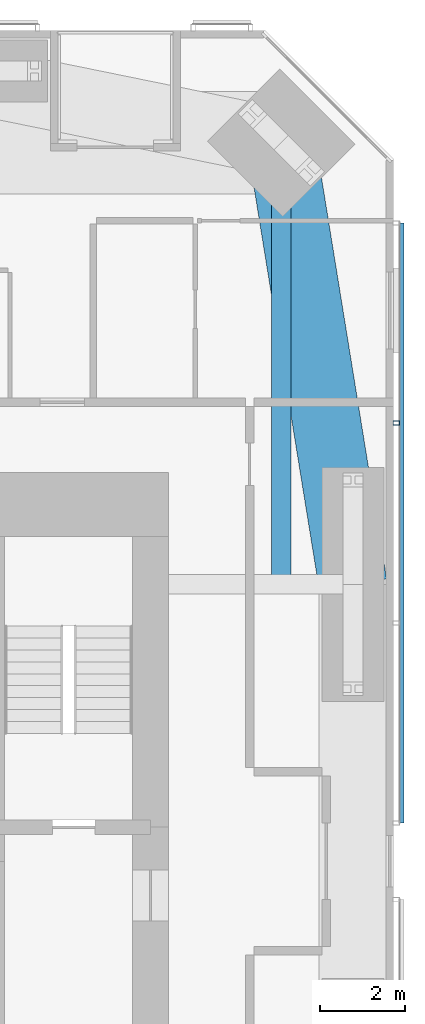
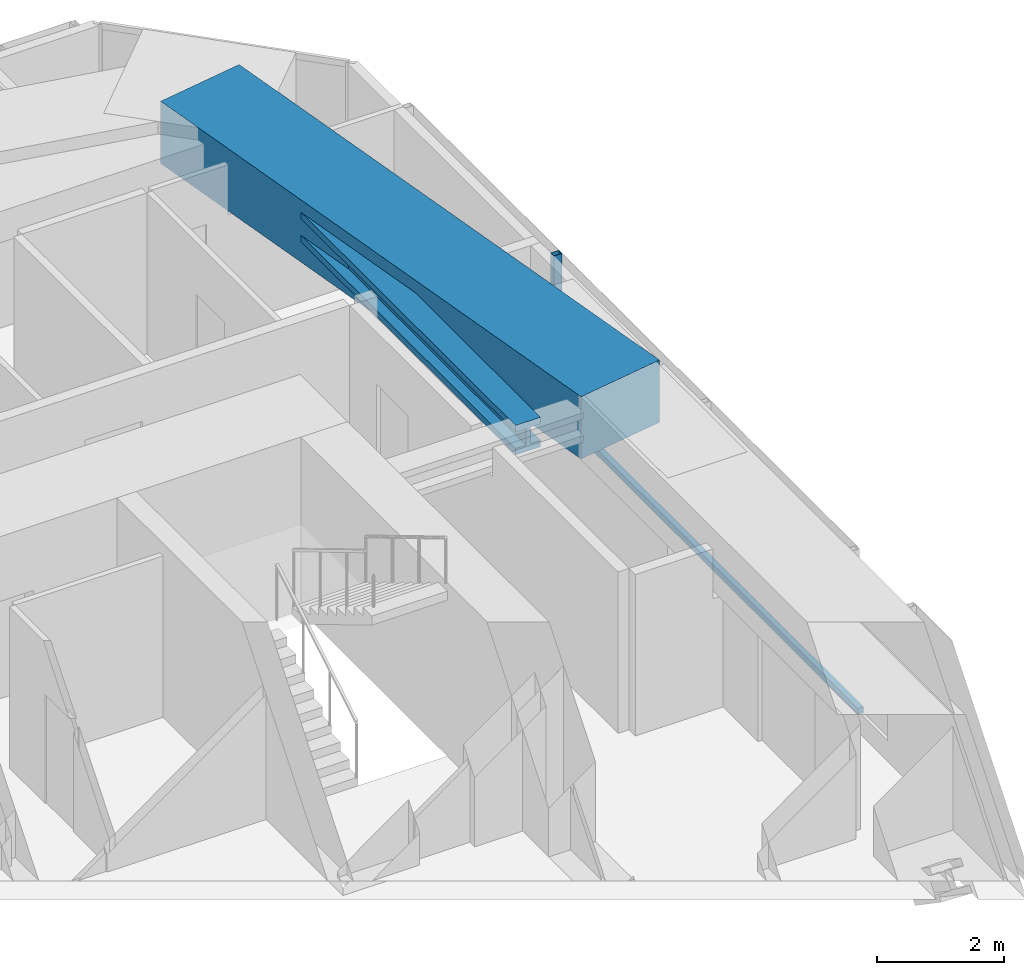
# One storey, part 10 of 23: 2 beams, 2 members, 1 element without a shape of its own.
"""IFC4 building model written with IfcOpenShell, lengths in metres."""

import ifcopenshell
import ifcopenshell.guid

model = None  # the IFC model being written
_history = None  # IfcOwnerHistory: only IFC2X3 demands one
_inside = {}  # id of a spatial element -> (the spatial element, [elements in it])
_under = {}  # id of a project, library or spatial element -> (it, [spatial elements below it])
_declared = {}  # id of a project -> (the project, [libraries it declares])
_typed = {}  # id of a type object -> (the type object, [elements of that type])
_made_of = {}  # id of a material, layer set ... -> (it, [elements and type objects made of it])


def new_model(schema):
    """Start an empty IFC model of exactly this schema.

    Asked for "IFC4X3", IfcOpenShell would pick the latest addendum, in which some entities
    have other attributes; the version numbers below select the first issue.
    IFC2X3 requires an IfcOwnerHistory on every rooted entity: one is made here for all.
    """
    global model, _history
    if schema == "IFC4X3":
        model = ifcopenshell.file(schema_version=(4, 3, 0, 0))
    else:
        model = ifcopenshell.file(schema=schema)
    _inside.clear()
    _under.clear()
    _declared.clear()
    _typed.clear()
    _made_of.clear()
    _history = None
    if model.schema == "IFC2X3":
        org = make("IfcOrganization", Name="unknown")
        user = make(
            "IfcPersonAndOrganization",
            ThePerson=make("IfcPerson", FamilyName="unknown"),
            TheOrganization=org,
        )
        app = make(
            "IfcApplication",
            ApplicationDeveloper=org,
            Version="unknown",
            ApplicationFullName="unknown",
            ApplicationIdentifier="unknown",
        )
        _history = make(
            "IfcOwnerHistory",
            OwningUser=user,
            OwningApplication=app,
            ChangeAction="ADDED",
            CreationDate=0,
        )
    return model


def make(cls, **values):
    """One entity of the class cls with the attributes given. An attribute that is None is left unset."""
    return model.create_entity(
        cls, **{name: value for name, value in values.items() if value is not None}
    )


def rooted(cls, **values):
    """An entity with a GlobalId (a new one), such as an element, a storey or a relation."""
    return make(cls, GlobalId=ifcopenshell.guid.new(), OwnerHistory=_history, **values)


def si_unit(unit_type, name, prefix=None):
    """IfcSIUnit, for example si_unit("LENGTHUNIT", "METRE", prefix="MILLI")."""
    return make("IfcSIUnit", UnitType=unit_type, Prefix=prefix, Name=name)


def assignment(units):
    """IfcUnitAssignment: the units of a project."""
    return None if units is None else make("IfcUnitAssignment", Units=units)


def point(xyz):
    """IfcCartesianPoint."""
    return None if xyz is None else make("IfcCartesianPoint", Coordinates=xyz)


def direction(xyz):
    """IfcDirection."""
    return None if xyz is None else make("IfcDirection", DirectionRatios=xyz)


def frame(location, z_axis=None, x_axis=None):
    """IfcAxis2Placement3D, a coordinate frame: its origin and axes. An axis left out is left unset."""
    return make(
        "IfcAxis2Placement3D",
        Location=point(location),
        Axis=direction(z_axis),
        RefDirection=direction(x_axis),
    )


def frame_2d(location, x_axis=None):
    """IfcAxis2Placement2D, a coordinate frame in the plane: its origin and x axis."""
    return make(
        "IfcAxis2Placement2D", Location=point(location), RefDirection=direction(x_axis)
    )


def origin():
    """The frame at (0, 0, 0) with its axes left unset."""
    return frame((0.0, 0.0, 0.0))


def origin_2d():
    """The frame at (0, 0) in the plane with its x axis left unset."""
    return frame_2d((0.0, 0.0))


def place(relative_to, where):
    """IfcLocalPlacement: puts the frame where relative to a parent placement (None: the world)."""
    return make(
        "IfcLocalPlacement", PlacementRelTo=relative_to, RelativePlacement=where
    )


def context(
    kind, dimensions, precision=None, world=None, true_north=None, identifier=None
):
    """IfcGeometricRepresentationContext, for example the 3D "Model" context."""
    return make(
        "IfcGeometricRepresentationContext",
        ContextIdentifier=identifier,
        ContextType=kind,
        CoordinateSpaceDimension=dimensions,
        Precision=precision,
        WorldCoordinateSystem=world,
        TrueNorth=true_north,
    )


def subcontext(parent, identifier, kind, view, scale=None):
    """IfcGeometricRepresentationSubContext, for example "Body" below "Model"."""
    return make(
        "IfcGeometricRepresentationSubContext",
        ContextIdentifier=identifier,
        ContextType=kind,
        ParentContext=parent,
        TargetScale=scale,
        TargetView=view,
    )


def project(units=None, contexts=None):
    """IfcProject with its units and contexts."""
    return rooted(
        "IfcProject",
        Name="project",
        RepresentationContexts=contexts,
        UnitsInContext=assignment(units),
    )


def spatial(cls, under=None, at=None, **own):
    """A site, building, storey or space (cls), placed at a placement, below another one or the project."""
    s = rooted(cls, ObjectPlacement=at, **own)
    if under is not None:
        _under.setdefault(under.id(), (under, []))[1].append(s)
    return s


def profile(cls, at=None, kind="AREA", **sizes):
    """A parametric profile (cls). Its sizes go by their IFC names, for example OverallWidth=200.0."""
    return make(cls, ProfileType=kind, Position=at, **sizes)


def rectangle(**sizes):
    """IfcRectangleProfileDef."""
    return profile("IfcRectangleProfileDef", **sizes)


def hollow_rectangle(**sizes):
    """IfcRectangleHollowProfileDef."""
    return profile("IfcRectangleHollowProfileDef", **sizes)


def i_section(**sizes):
    """IfcIShapeProfileDef."""
    return profile("IfcIShapeProfileDef", **sizes)


def extrude(swept, where, along, depth):
    """IfcExtrudedAreaSolid: the profile swept, set in the frame where, extruded along a direction by depth."""
    return make(
        "IfcExtrudedAreaSolid",
        SweptArea=swept,
        Position=where,
        ExtrudedDirection=direction(along),
        Depth=depth,
    )


def shape(context_of_items, identifier, shape_type, items):
    """IfcShapeRepresentation: the items that make up one representation, for example the "Body"."""
    return make(
        "IfcShapeRepresentation",
        ContextOfItems=context_of_items,
        RepresentationIdentifier=identifier,
        RepresentationType=shape_type,
        Items=items,
    )


def material(Name=None, Category=None):
    """IfcMaterial."""
    return make("IfcMaterial", Name=Name, Category=Category)


def material_profile(
    of_material, cross_section, Name=None, Category=None, Priority=None
):
    """IfcMaterialProfile: a cross section and its material."""
    return make(
        "IfcMaterialProfile",
        Name=Name,
        Material=of_material,
        Profile=cross_section,
        Priority=Priority,
        Category=Category,
    )


def profile_set(profiles, Name=None, composite=None):
    """IfcMaterialProfileSet."""
    return make(
        "IfcMaterialProfileSet",
        Name=Name,
        MaterialProfiles=profiles,
        CompositeProfile=composite,
    )


def made_of(thing, what):
    """Note that an element or type object is made of a material, layer set ...; save() writes the relation."""
    if what is not None:
        _made_of.setdefault(what.id(), (what, []))[1].append(thing)
    return thing


def type_object(cls, material=None, **own):
    """A type object (cls), such as IfcWallType, which elements share."""
    return made_of(rooted(cls, **own), material)


def element(
    cls,
    number,
    at=None,
    inside=None,
    cuts=None,
    type_object=None,
    material=None,
    context=None,
    identifier="Body",
    shape_type=None,
    held_by="IfcProductDefinitionShape",
    body=None,
    shapes=None,
    **own,
):
    """One element of the class cls, such as IfcWall. Its Tag is "e" and its number.

    at: its placement. inside: the storey or other place that contains it. cuts: it is an
    opening in that element (IfcRelVoidsElement). A single representation is given by context,
    identifier, shape_type and body (its items); several are given by shapes. held_by: the class
    of the entity that holds the representations. save() writes the other relations.
    """
    e = rooted(cls, Tag="e%d" % number, ObjectPlacement=at, **own)
    if body is not None:
        shapes = [shape(context, identifier, shape_type, body)]
    if shapes is not None:
        e.Representation = make(held_by, Representations=shapes)
    if inside is not None:
        _inside.setdefault(inside.id(), (inside, []))[1].append(e)
    if cuts is not None:
        rooted(
            "IfcRelVoidsElement", RelatingBuildingElement=cuts, RelatedOpeningElement=e
        )
    if type_object is not None:
        _typed.setdefault(type_object.id(), (type_object, []))[1].append(e)
    return made_of(e, material)


def aggregate(whole, parts):
    """IfcRelAggregates: a whole, such as a stair, and the parts it consists of."""
    return rooted("IfcRelAggregates", RelatingObject=whole, RelatedObjects=parts)


def save(model, path):
    """Write the relations noted so far, then the file.

    IfcRelAggregates (storeys below a building ...), IfcRelContainedInSpatialStructure (elements
    in a storey), IfcRelDefinesByType, IfcRelAssociatesMaterial and IfcRelDeclares: one each for
    every whole, place, type object, material and project.
    """
    for whole, parts in _under.values():
        aggregate(whole, parts)
    for where, things in _inside.values():
        rooted(
            "IfcRelContainedInSpatialStructure",
            RelatedElements=things,
            RelatingStructure=where,
        )
    for kind, things in _typed.values():
        rooted("IfcRelDefinesByType", RelatedObjects=things, RelatingType=kind)
    for what, things in _made_of.values():
        rooted("IfcRelAssociatesMaterial", RelatedObjects=things, RelatingMaterial=what)
    for by, libraries in _declared.values():
        rooted("IfcRelDeclares", RelatingContext=by, RelatedDefinitions=libraries)
    model.write(path)


model = new_model("IFC4")

# Units and contexts
model_context = context("Model", 3, precision=1e-05, world=origin(), true_north=direction((0.0, 1.0)))
body_context = subcontext(model_context, "Body", "Model", "MODEL_VIEW")
ifc_project = project(units=[si_unit("LENGTHUNIT", "METRE"), si_unit("AREAUNIT", "SQUARE_METRE"), si_unit("VOLUMEUNIT", "CUBIC_METRE"), si_unit("PLANEANGLEUNIT", "RADIAN"), si_unit("MASSUNIT", "GRAM", prefix="KILO")], contexts=[model_context])

# Site, building, storey
site_placement = place(None, origin())
site = spatial("IfcSite", under=ifc_project, at=site_placement, CompositionType="ELEMENT")
building_placement = place(site_placement, origin())
building = spatial("IfcBuilding", under=site, at=building_placement, Name="Jalousie Tower", CompositionType="ELEMENT")
storey_placement = place(building_placement, frame((0.0, 0.0, 114.89990234375)))
storey = spatial("IfcBuildingStorey", under=building, at=storey_placement, Name="L31", CompositionType="ELEMENT", Elevation=114.89990234375)

# Beams
ifc_material_1 = material(Name="Steel ASTM A992 Grade 50", Category="steel")
ifc_material_profile_1 = material_profile(ifc_material_1, i_section(OverallWidth=0.45458984375, OverallDepth=0.569091796875, WebThickness=0.077880859375, FlangeThickness=0.124755859375, at=origin_2d()), Name="W14X730")
ifc_profile_set_1 = profile_set([ifc_material_profile_1], Name="Steel ASTM A992 Grade 50")
beam_type_1 = type_object("IfcBeamType", Name="LEAN COLLECTOR W14X730", PredefinedType="BEAM", material=ifc_profile_set_1)
beam_1_placement = place(storey_placement, frame((46.86865234375, 35.36865234375, 2.82568359375), z_axis=(0.0, -1.0, 0.0), x_axis=(1.0, 0.0, 0.0)))
element("IfcBeam", 1, at=beam_1_placement, inside=storey, type_object=beam_type_1, Name="Lean collector under L32", PredefinedType="BEAM", context=body_context, shape_type="SweptSolid", body=[
    extrude(i_section(OverallWidth=0.45458984375, OverallDepth=0.569091796875, WebThickness=0.077880859375, FlangeThickness=0.124755859375, at=origin_2d()), origin(), (0.0, 0.0, 1.0), 10.36865234375),
])
ifc_material_2 = material(Name="Concrete f'c 40 MPa", Category="concrete")
ifc_material_profile_2 = material_profile(ifc_material_2, rectangle(XDim=1.60009765625, YDim=1.199951171875, at=origin_2d()), Name="RC 1600x1200")
ifc_profile_set_2 = profile_set([ifc_material_profile_2], Name="Concrete f'c 40 MPa")
beam_type_2 = type_object("IfcBeamType", Name="RC BEAM 1600x1200", PredefinedType="BEAM", material=ifc_profile_set_2)
beam_2_placement = place(storey_placement, frame((48.550048828125, 25.0, 2.75), z_axis=(-0.160070546476, 0.987105577003, 0.0), x_axis=(-0.987105577003, -0.160070546476, 0.0)))
element("IfcBeam", 2, at=beam_2_placement, inside=storey, type_object=beam_type_2, Name="Edge band beam 07-08 under L32", PredefinedType="BEAM", context=body_context, shape_type="SweptSolid", body=[
    extrude(rectangle(XDim=1.60009765625, YDim=1.199951171875, at=origin_2d()), origin(), (0.0, 0.0, 1.0), 10.504150390625),
])

# Curtain wall, members
ifc_material_3 = material(Name="Perforated aluminium sheet", Category="aluminium")
curtain_wall_type = type_object("IfcCurtainWallType", Name="SOLAR SCREEN SS-1", PredefinedType="USERDEFINED", material=ifc_material_3)
curtain_wall_placement = place(storey_placement, origin())
curtain_wall = element("IfcCurtainWall", 3, at=curtain_wall_placement, inside=storey, type_object=curtain_wall_type, Name="Solar screen L31", ObjectType="SOLAR SCREEN SS-1", PredefinedType="USERDEFINED")
ifc_material_4 = material(Name="Steel ASTM A500 Grade C", Category="steel")
ifc_material_profile_3 = material_profile(ifc_material_4, hollow_rectangle(XDim=0.1015625, YDim=0.15234375, WallThickness=0.00634765625, at=origin_2d()), Name="HSS6X4X1/4")
ifc_profile_set_3 = profile_set([ifc_material_profile_3], Name="Steel ASTM A500 Grade C")
member_type_1 = type_object("IfcMemberType", Name="SOLAR SCREEN SS-1 MULLION", PredefinedType="MULLION", material=ifc_profile_set_3)
member_1_placement = place(storey_placement, frame((49.5712890625, 28.790771484375, -0.119873046875), z_axis=(0.0, 0.0, 1.0), x_axis=(0.0, 1.0, 0.0)))
member_1 = element("IfcMember", 4, at=member_1_placement, type_object=member_type_1, Name="SS1 post 3", PredefinedType="MULLION", context=body_context, shape_type="SweptSolid", body=[
    extrude(hollow_rectangle(XDim=0.1015625, YDim=0.15234375, WallThickness=0.00634765625, at=origin_2d()), origin(), (0.0, 0.0, 1.0), 3.22998046875),
])
ifc_material_5 = material(Name="Extruded aluminium screen rail", Category="aluminium")
ifc_material_profile_4 = material_profile(ifc_material_5, rectangle(XDim=0.1015625, YDim=0.1201171875, at=origin_2d()), Name="RAIL 102x120")
ifc_profile_set_4 = profile_set([ifc_material_profile_4], Name="Extruded aluminium screen rail")
member_type_2 = type_object("IfcMemberType", Name="SOLAR SCREEN SS-1 TRANSOM", PredefinedType="USERDEFINED", material=ifc_profile_set_4)
member_2_placement = place(storey_placement, frame((49.6982421875, 19.39990234375, -0.059814453125), z_axis=(0.0, 1.0, 0.0), x_axis=(-1.0, 0.0, 0.0)))
member_2 = element("IfcMember", 5, at=member_2_placement, type_object=member_type_2, Name="SS1 rail", ObjectType="TRANSOM", PredefinedType="USERDEFINED", context=body_context, shape_type="SweptSolid", body=[
    extrude(rectangle(XDim=0.1015625, YDim=0.1201171875, at=origin_2d()), origin(), (0.0, 0.0, 1.0), 14.086181640625),
])
aggregate(curtain_wall, [member_1, member_2])

save(model, "model.ifc")
